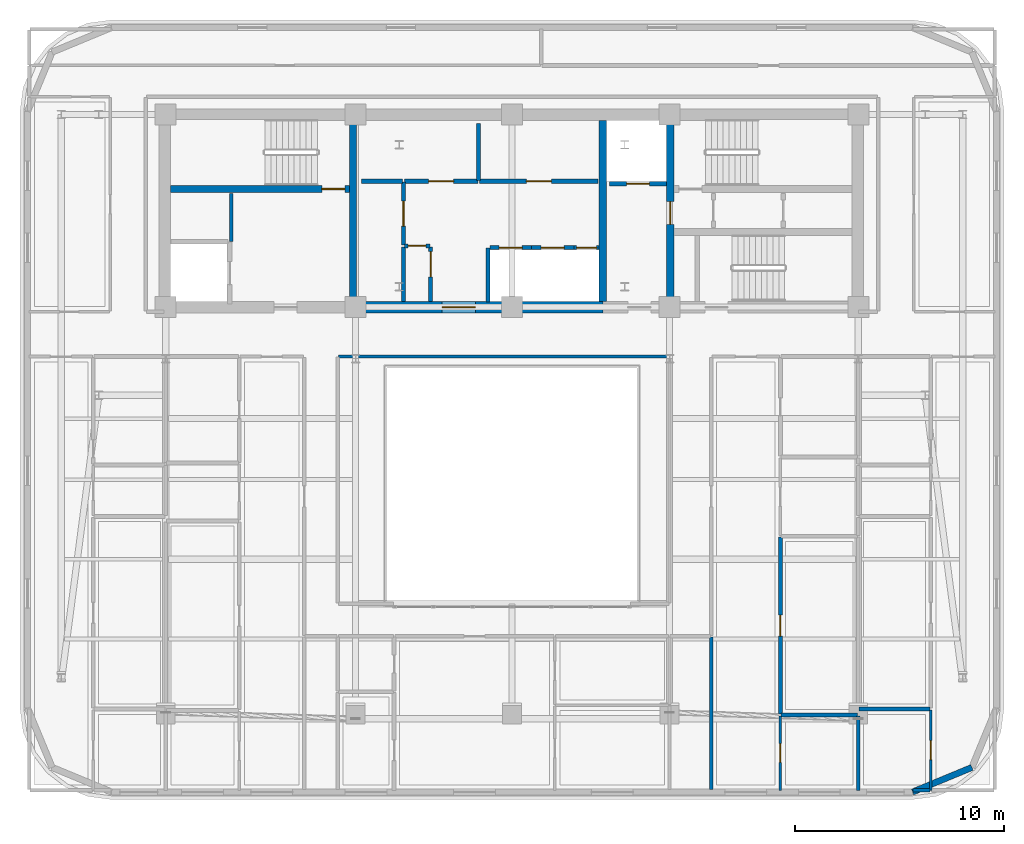
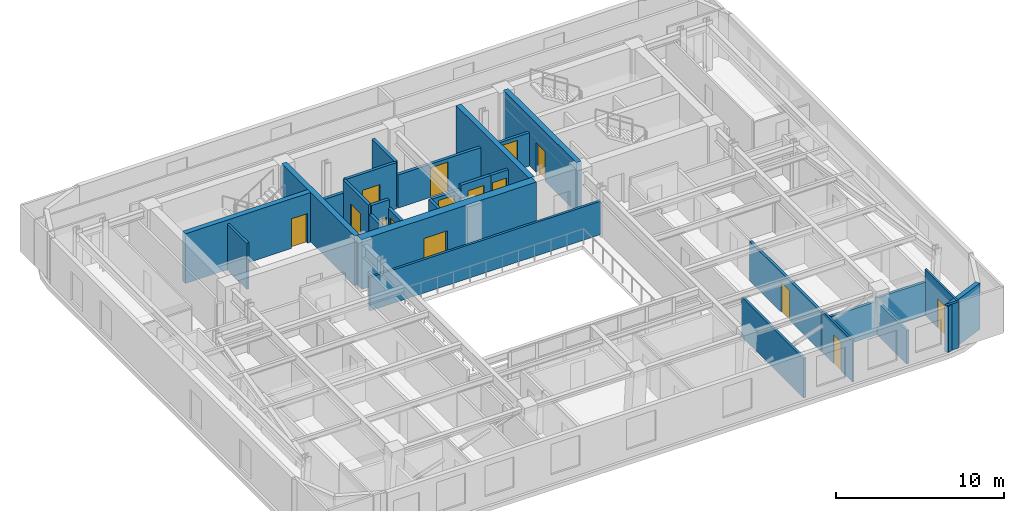
# One storey, part 8 of 15: 29 walls, 15 doors, 15 openings.
"""IFC4 building model written with IfcOpenShell, lengths in metres."""

from ifc_helpers import new_model, si_unit, direction, frame, frame_2d, origin, place, context, subcontext, project, spatial, rectangle, extrude, material, layer, layer_set, type_object, element, fill, save


model = new_model("IFC4")

# Units and contexts
model_context = context("Model", 3, precision=1e-05, world=origin(), true_north=direction((0.0, 1.0)))
body_context = subcontext(model_context, "Body", "Model", "MODEL_VIEW")
ifc_project = project(units=[si_unit("LENGTHUNIT", "METRE"), si_unit("AREAUNIT", "SQUARE_METRE"), si_unit("VOLUMEUNIT", "CUBIC_METRE"), si_unit("PLANEANGLEUNIT", "RADIAN"), si_unit("MASSUNIT", "GRAM", prefix="KILO")], contexts=[model_context])

# Site, building, storey
site_placement = place(None, origin())
site = spatial("IfcSite", under=ifc_project, at=site_placement, CompositionType="ELEMENT")
building_placement = place(site_placement, origin())
building = spatial("IfcBuilding", under=site, at=building_placement, Name="Zarnavel Station Tower", CompositionType="ELEMENT")
storey_placement = place(building_placement, frame((0.0, 0.0, 196.800048828125)))
storey = spatial("IfcBuildingStorey", under=building, at=storey_placement, Name="L53", CompositionType="ELEMENT", Elevation=196.800048828125)

# Walls
ifc_material_1 = material(Name="Concrete C50/60", Category="concrete")
ifc_layer_1 = layer(ifc_material_1, 0.35009765625)
ifc_layer_set_1 = layer_set([ifc_layer_1], Name="CW_350")
wall_type_1 = type_object("IfcWallType", Name="CW_350", PredefinedType="SHEAR", material=ifc_layer_set_1)
for number, where, z_axis, x_axis, name in (
    (1, (21.179931640625, 28.094970703125, 0.0), (0.0, 0.0, 1.0), (0.0, 1.0, 0.0), "L53 Rear Core Shear Wall DIV-W"),
    (2, (33.14990234375, 28.094970703125, 0.0), (0.0, 0.0, 1.0), (0.0, 1.0, 0.0), "L53 Rear Core Shear Wall DIV-E"),
):
    element("IfcWall", number, at=place(storey_placement, frame(where, z_axis=z_axis, x_axis=x_axis)), inside=storey, type_object=wall_type_1, Name=name, PredefinedType="SHEAR", context=body_context, shape_type="SweptSolid", body=[
        extrude(rectangle(XDim=8.679931640625, YDim=0.35009765625, at=frame_2d((4.33984375, 0.0))), origin(), (0.0, 0.0, 1.0), 3.599853515625),
    ])

# Wall, opening, door
wall_1_placement = place(storey_placement, frame((36.3798828125, 28.094970703125, 0.0), z_axis=(0.0, 0.0, 1.0), x_axis=(0.0, 1.0, 0.0)))
wall_1 = element("IfcWall", 3, at=wall_1_placement, inside=storey, type_object=wall_type_1, Name="L53 Rear Core Shear Wall DIV-S2", PredefinedType="SHEAR", context=body_context, shape_type="SweptSolid", body=[
    extrude(rectangle(XDim=8.679931640625, YDim=0.35009765625, at=frame_2d((4.33984375, 0.0))), origin(), (0.0, 0.0, 1.0), 3.599853515625),
])
opening_1_placement = place(wall_1_placement, frame((3.68505859375, 0.0, 0.0)))
opening_1 = element("IfcOpeningElement", 4, at=opening_1_placement, cuts=wall_1, Name="Opening FD01", PredefinedType="OPENING", context=body_context, shape_type="SweptSolid", body=[
    extrude(rectangle(XDim=1.10009765625, YDim=2.14990234375, at=frame_2d((0.550048828125, 1.074951171875))), frame((0.0, 0.18505859375, 0.0), z_axis=(0.0, -1.0, 0.0), x_axis=(1.0, 0.0, 0.0)), (0.0, 0.0, 1.0), 0.3701171875),
])
ifc_material_2 = material(Name="Painted Galvanised Steel and Hardwood Leaf", Category="steel")
door_type_1 = type_object("IfcDoorType", Name="ID_STAIR_1100", OperationType="NOTDEFINED", PredefinedType="DOOR", material=ifc_material_2)
door_1_placement = place(opening_1_placement, origin())
door_1 = element("IfcDoor", 5, at=door_1_placement, inside=storey, type_object=door_type_1, Name="L53 East Stair Vestibule Fire Door", OperationType="SINGLE_SWING_LEFT", OverallHeight=2.14990234375, OverallWidth=1.10009765625, PredefinedType="DOOR", context=body_context, shape_type="SweptSolid", body=[
    extrude(rectangle(XDim=1.10009765625, YDim=2.14990234375, at=frame_2d((0.550048828125, 1.074951171875))), frame((0.0, 0.02490234375, 0.0), z_axis=(0.0, -1.0, 0.0), x_axis=(1.0, 0.0, 0.0)), (0.0, 0.0, 1.0), 0.050048828125),
])
fill(opening_1, door_1)

wall_2_placement = place(storey_placement, frame((21.0048828125, 33.47998046875, 0.0), z_axis=(0.0, 0.0, 1.0), x_axis=(-1.0, 0.0, 0.0)))
wall_2 = element("IfcWall", 6, at=wall_2_placement, inside=storey, type_object=wall_type_1, Name="L53 Rear Core Shear Wall DIV-H1", PredefinedType="SHEAR", context=body_context, shape_type="SweptSolid", body=[
    extrude(rectangle(XDim=8.579833984375, YDim=0.35009765625, at=frame_2d((4.2900390625, 0.0))), origin(), (0.0, 0.0, 1.0), 3.599853515625),
])
opening_2_placement = place(wall_2_placement, frame((0.219970703125, 0.0, 0.0)))
opening_2 = element("IfcOpeningElement", 7, at=opening_2_placement, cuts=wall_2, Name="Opening FD01", PredefinedType="OPENING", context=body_context, shape_type="SweptSolid", body=[
    extrude(rectangle(XDim=1.10009765625, YDim=2.14990234375, at=frame_2d((0.550048828125, 1.074951171875))), frame((0.0, 0.18505859375, 0.0), z_axis=(0.0, -1.0, 0.0), x_axis=(1.0, 0.0, 0.0)), (0.0, 0.0, 1.0), 0.3701171875),
])
door_2_placement = place(opening_2_placement, origin())
door_2 = element("IfcDoor", 8, at=door_2_placement, inside=storey, type_object=door_type_1, Name="L53 Stair ST1 Lobby Fire Door", OperationType="SINGLE_SWING_LEFT", OverallHeight=2.14990234375, OverallWidth=1.10009765625, PredefinedType="DOOR", context=body_context, shape_type="SweptSolid", body=[
    extrude(rectangle(XDim=1.10009765625, YDim=2.14990234375, at=frame_2d((0.550048828125, 1.074951171875))), frame((0.0, 0.02490234375, 0.0), z_axis=(0.0, -1.0, 0.0), x_axis=(1.0, 0.0, 0.0)), (0.0, 0.0, 1.0), 0.050048828125),
])
fill(opening_2, door_2)

ifc_material_3 = material(Name="Concrete C50/60", Category="concrete")
ifc_layer_2 = layer(ifc_material_3, 0.550048828125)
ifc_layer_set_2 = layer_set([ifc_layer_2], Name="CW_550")
wall_type_2 = type_object("IfcWallType", Name="CW_550", PredefinedType="SHEAR", material=ifc_layer_set_2)
wall_3_placement = place(storey_placement, frame((33.14990234375, 27.820068359375, 0.0), z_axis=(0.0, 0.0, 1.0), x_axis=(-1.0, 0.0, 0.0)))
wall_3 = element("IfcWall", 9, at=wall_3_placement, inside=storey, type_object=wall_type_2, Name="L53 Rear Core Shear Wall S-M", PredefinedType="SHEAR", context=body_context, shape_type="SweptSolid", body=[
    extrude(rectangle(XDim=11.969970703125, YDim=0.550048828125, at=frame_2d((5.98486328125, 0.0))), origin(), (0.0, 0.0, 1.0), 3.599853515625),
])
opening_3_placement = place(wall_3_placement, frame((6.10009765625, 0.0, 0.0)))
opening_3 = element("IfcOpeningElement", 10, at=opening_3_placement, cuts=wall_3, Name="Opening ID03", PredefinedType="OPENING", context=body_context, shape_type="SweptSolid", body=[
    extrude(rectangle(XDim=1.60009765625, YDim=2.199951171875, at=frame_2d((0.800048828125, 1.10009765625))), frame((0.0, 0.284912109375, 0.0), z_axis=(0.0, -1.0, 0.0), x_axis=(1.0, 0.0, 0.0)), (0.0, 0.0, 1.0), 0.570068359375),
])
ifc_material_4 = material(Name="Painted Galvanised Steel and Hardwood Leaf", Category="steel")
door_type_2 = type_object("IfcDoorType", Name="ID_PUBLIC_1600", OperationType="DOUBLE_DOOR_SINGLE_SWING", PredefinedType="DOOR", material=ifc_material_4)
door_3_placement = place(opening_3_placement, origin())
door_3 = element("IfcDoor", 11, at=door_3_placement, inside=storey, type_object=door_type_2, Name="L53 Passenger Lift Lobby Double Door", OperationType="SINGLE_SWING_LEFT", OverallHeight=2.199951171875, OverallWidth=1.60009765625, PredefinedType="DOOR", context=body_context, shape_type="SweptSolid", body=[
    extrude(rectangle(XDim=1.60009765625, YDim=2.199951171875, at=frame_2d((0.800048828125, 1.10009765625))), frame((0.0, 0.02490234375, 0.0), z_axis=(0.0, -1.0, 0.0), x_axis=(1.0, 0.0, 0.0)), (0.0, 0.0, 1.0), 0.050048828125),
])
fill(opening_3, door_3)

# Walls
ifc_material_5 = material(Name="Precast concrete C45/55 (Dark Basalt Finish)", Category="masonry")
ifc_layer_3 = layer(ifc_material_5, 0.300048828125)
ifc_layer_set_3 = layer_set([ifc_layer_3], Name="EW_BASALT_300")
wall_type_3 = type_object("IfcWallType", Name="EW_BASALT_300", PredefinedType="SOLIDWALL", material=ifc_layer_set_3)
wall_4_placement = place(storey_placement, frame((50.842529296875, 5.75732421875, 0.0), z_axis=(0.0, 0.0, 1.0), x_axis=(-0.92389884758, -0.382636798336, 0.0)))
element("IfcWall", 12, at=wall_4_placement, inside=storey, type_object=wall_type_3, Name="L53 Exterior Basalt Masonry Frame Wall 01", PredefinedType="SOLIDWALL", context=body_context, shape_type="SweptSolid", body=[
    extrude(rectangle(XDim=3.07666015625, YDim=0.300048828125, at=frame_2d((1.538330078125, 0.0))), origin(), (0.0, 0.0, 1.0), 3.33984375),
])
ifc_material_6 = material(Name="Gypsum Twin-Stud Acoustic Fire Partition", Category="concrete")
ifc_layer_4 = layer(ifc_material_6, 0.159912109375)
ifc_layer_set_4 = layer_set([ifc_layer_4], Name="PT_DEMISE_160")
wall_type_4 = type_object("IfcWallType", Name="PT_DEMISE_160", PredefinedType="PARTITIONING", material=ifc_layer_set_4)
wall_5_placement = place(storey_placement, frame((45.39990234375, 4.659912109375, 0.0), z_axis=(0.0, 0.0, 1.0), x_axis=(0.0, 1.0, 0.0)))
element("IfcWall", 13, at=wall_5_placement, inside=storey, type_object=wall_type_4, Name="L53 Partition UE1B1-UE2B1", PredefinedType="PARTITIONING", context=body_context, shape_type="SweptSolid", body=[
    extrude(rectangle(XDim=3.572998046875, YDim=0.159912109375, at=frame_2d((1.78662109375, 0.0))), origin(), (0.0, 0.0, 1.0), 2.419921875),
])
wall_6_placement = place(storey_placement, frame((15.35009765625, 30.9599609375, 0.0), z_axis=(0.0, 0.0, 1.0), x_axis=(0.0, 1.0, 0.0)))
element("IfcWall", 14, at=wall_6_placement, inside=storey, type_object=wall_type_4, Name="L53 Enclosure Wall FFL1", PredefinedType="PARTITIONING", context=body_context, shape_type="SweptSolid", body=[
    extrude(rectangle(XDim=2.31005859375, YDim=0.159912109375, at=frame_2d((1.155029296875, 0.0))), origin(), (0.0, 0.0, 1.0), 3.33984375),
])
wall_7_placement = place(storey_placement, frame((20.47998046875, 25.449951171875, 0.0), z_axis=(0.0, 0.0, 1.0), x_axis=(1.0, 0.0, 0.0)))
element("IfcWall", 15, at=wall_7_placement, inside=storey, type_object=wall_type_4, Name="L53 Enclosure Wall COR-S", PredefinedType="PARTITIONING", context=body_context, shape_type="SweptSolid", body=[
    extrude(rectangle(XDim=15.840087890625, YDim=0.159912109375, at=frame_2d((7.919921875, 0.0))), origin(), (0.0, 0.0, 1.0), 2.419921875),
])
wall_8_placement = place(storey_placement, frame((38.35009765625, 4.68994140625, 0.0), z_axis=(0.0, 0.0, 1.0), x_axis=(0.0, 1.0, 0.0)))
element("IfcWall", 16, at=wall_8_placement, inside=storey, type_object=wall_type_4, Name="L53 Enclosure Wall UE1LV", PredefinedType="PARTITIONING", context=body_context, shape_type="SweptSolid", body=[
    extrude(rectangle(XDim=7.330078125, YDim=0.159912109375, at=frame_2d((3.6650390625, 0.0))), origin(), (0.0, 0.0, 1.0), 2.869873046875),
])
wall_9_placement = place(storey_placement, frame((48.030029296875, 4.659912109375, 0.0), z_axis=(0.0, 0.0, 1.0), x_axis=(1.0, 0.0, 0.0)))
element("IfcWall", 17, at=wall_9_placement, inside=storey, type_object=wall_type_4, Name="L53 Enclosure Wall UE2B1", PredefinedType="PARTITIONING", context=body_context, shape_type="SweptSolid", body=[
    extrude(rectangle(XDim=0.805908203125, YDim=0.159912109375, at=frame_2d((0.40283203125, 0.0))), origin(), (0.0, 0.0, 1.0), 3.33984375),
])

# Wall, opening, door
ifc_material_7 = material(Name="Gypsum Metal-Stud Interior Partition", Category="concrete")
ifc_layer_5 = layer(ifc_material_7, 0.1201171875)
ifc_layer_set_5 = layer_set([ifc_layer_5], Name="PT_ROOM_120")
wall_type_5 = type_object("IfcWallType", Name="PT_ROOM_120", PredefinedType="PARTITIONING", material=ifc_layer_set_5)
wall_10_placement = place(storey_placement, frame((41.6630859375, 4.659912109375, 0.0), z_axis=(0.0, 0.0, 1.0), x_axis=(0.0, 1.0, 0.0)))
wall_10 = element("IfcWall", 18, at=wall_10_placement, inside=storey, type_object=wall_type_5, Name="L53 Partition UE1LV-UE1B1", PredefinedType="PARTITIONING", context=body_context, shape_type="SweptSolid", body=[
    extrude(rectangle(XDim=3.572998046875, YDim=0.1201171875, at=frame_2d((1.78662109375, 0.0))), origin(), (0.0, 0.0, 1.0), 3.0),
])
opening_4_placement = place(wall_10_placement, frame((1.33642578125, 0.0, 0.0)))
opening_4 = element("IfcOpeningElement", 19, at=opening_4_placement, cuts=wall_10, Name="Opening ID01", PredefinedType="OPENING", context=body_context, shape_type="SweptSolid", body=[
    extrude(rectangle(XDim=0.89990234375, YDim=2.10009765625, at=frame_2d((0.449951171875, 1.050048828125))), frame((0.0, 0.070068359375, 0.0), z_axis=(0.0, -1.0, 0.0), x_axis=(1.0, 0.0, 0.0)), (0.0, 0.0, 1.0), 0.14013671875),
])
ifc_material_8 = material(Name="Painted Galvanised Steel and Hardwood Leaf", Category="steel")
door_type_3 = type_object("IfcDoorType", Name="ID_ROOM_900", OperationType="NOTDEFINED", PredefinedType="DOOR", material=ifc_material_8)
door_4_placement = place(opening_4_placement, origin())
door_4 = element("IfcDoor", 20, at=door_4_placement, inside=storey, type_object=door_type_3, Name="L53 Door UE1LV-UE1B1", OperationType="SINGLE_SWING_LEFT", OverallHeight=2.10009765625, OverallWidth=0.89990234375, PredefinedType="DOOR", context=body_context, shape_type="SweptSolid", body=[
    extrude(rectangle(XDim=0.89990234375, YDim=2.10009765625, at=frame_2d((0.449951171875, 1.050048828125))), frame((0.0, 0.02490234375, 0.0), z_axis=(0.0, -1.0, 0.0), x_axis=(1.0, 0.0, 0.0)), (0.0, 0.0, 1.0), 0.050048828125),
])
fill(opening_4, door_4)

wall_11_placement = place(storey_placement, frame((48.865966796875, 4.659912109375, 0.0), z_axis=(0.0, 0.0, 1.0), x_axis=(0.0, 1.0, 0.0)))
wall_11 = element("IfcWall", 21, at=wall_11_placement, inside=storey, type_object=wall_type_5, Name="L53 Partition UE2LV-UE2B1", PredefinedType="PARTITIONING", context=body_context, shape_type="SweptSolid", body=[
    extrude(rectangle(XDim=3.85498046875, YDim=0.1201171875, at=frame_2d((1.927490234375, 0.0))), origin(), (0.0, 0.0, 1.0), 3.33984375),
])
opening_5_placement = place(wall_11_placement, frame((1.4775390625, 0.0, 0.0)))
opening_5 = element("IfcOpeningElement", 22, at=opening_5_placement, cuts=wall_11, Name="Opening ID01", PredefinedType="OPENING", context=body_context, shape_type="SweptSolid", body=[
    extrude(rectangle(XDim=0.89990234375, YDim=2.10009765625, at=frame_2d((0.449951171875, 1.050048828125))), frame((0.0, 0.070068359375, 0.0), z_axis=(0.0, -1.0, 0.0), x_axis=(1.0, 0.0, 0.0)), (0.0, 0.0, 1.0), 0.14013671875),
])
door_5_placement = place(opening_5_placement, origin())
door_5 = element("IfcDoor", 23, at=door_5_placement, inside=storey, type_object=door_type_3, Name="L53 Door UE2LV-UE2B1", OperationType="SINGLE_SWING_LEFT", OverallHeight=2.10009765625, OverallWidth=0.89990234375, PredefinedType="DOOR", context=body_context, shape_type="SweptSolid", body=[
    extrude(rectangle(XDim=0.89990234375, YDim=2.10009765625, at=frame_2d((0.449951171875, 1.050048828125))), frame((0.0, 0.02490234375, 0.0), z_axis=(0.0, -1.0, 0.0), x_axis=(1.0, 0.0, 0.0)), (0.0, 0.0, 1.0), 0.050048828125),
])
fill(opening_5, door_5)

ifc_material_9 = material(Name="Precast concrete C45/55 (Fire Shaft Blockwork)", Category="masonry")
ifc_layer_6 = layer(ifc_material_9, 0.199951171875)
ifc_layer_set_6 = layer_set([ifc_layer_6], Name="PT_SHAFT_200")
wall_type_6 = type_object("IfcWallType", Name="PT_SHAFT_200", PredefinedType="PARTITIONING", material=ifc_layer_set_6)
wall_12_placement = place(storey_placement, frame((33.47509765625, 33.72998046875, 0.0), z_axis=(0.0, 0.0, 1.0), x_axis=(1.0, 0.0, 0.0)))
wall_12 = element("IfcWall", 24, at=wall_12_placement, inside=storey, type_object=wall_type_6, Name="L53 Lift FFL-02 Shaft Front Wall", PredefinedType="PARTITIONING", context=body_context, shape_type="SweptSolid", body=[
    extrude(rectangle(XDim=2.724853515625, YDim=0.199951171875, at=frame_2d((1.3623046875, 0.0))), origin(), (0.0, 0.0, 1.0), 2.409912109375),
])
opening_6_placement = place(wall_12_placement, frame((0.8125, 0.0, 0.0)))
opening_6 = element("IfcOpeningElement", 25, at=opening_6_placement, cuts=wall_12, Name="Opening LD01", PredefinedType="OPENING", context=body_context, shape_type="SweptSolid", body=[
    extrude(rectangle(XDim=1.10009765625, YDim=2.14990234375, at=frame_2d((0.550048828125, 1.074951171875))), frame((0.0, 0.10986328125, 0.0), z_axis=(0.0, -1.0, 0.0), x_axis=(1.0, 0.0, 0.0)), (0.0, 0.0, 1.0), 0.219970703125),
])
ifc_material_10 = material(Name="Painted Galvanised Steel and Hardwood Leaf", Category="steel")
door_type_4 = type_object("IfcDoorType", Name="LD_FF_1100", OperationType="DOUBLE_DOOR_SLIDING", PredefinedType="DOOR", material=ifc_material_10)
door_6_placement = place(opening_6_placement, origin())
door_6 = element("IfcDoor", 26, at=door_6_placement, inside=storey, type_object=door_type_4, Name="L53 Lift FFL-02 Sliding Landing Door", OperationType="DOUBLE_DOOR_SLIDING", OverallHeight=2.14990234375, OverallWidth=1.10009765625, PredefinedType="DOOR", context=body_context, shape_type="SweptSolid", body=[
    extrude(rectangle(XDim=1.10009765625, YDim=2.14990234375, at=frame_2d((0.550048828125, 1.074951171875))), frame((0.0, 0.02490234375, 0.0), z_axis=(0.0, -1.0, 0.0), x_axis=(1.0, 0.0, 0.0)), (0.0, 0.0, 1.0), 0.050048828125),
])
fill(opening_6, door_6)

wall_13_placement = place(storey_placement, frame((27.75, 30.669921875, 0.0), z_axis=(0.0, 0.0, 1.0), x_axis=(1.0, 0.0, 0.0)))
wall_13 = element("IfcWall", 27, at=wall_13_placement, inside=storey, type_object=wall_type_6, Name="L53 Lift PL-H1 Shaft Front Wall", PredefinedType="PARTITIONING", context=body_context, shape_type="SweptSolid", body=[
    extrude(rectangle(XDim=1.97509765625, YDim=0.199951171875, at=frame_2d((0.987548828125, 0.0))), origin(), (0.0, 0.0, 1.0), 2.409912109375),
])
opening_7_placement = place(wall_13_placement, frame((0.4375, 0.0, 0.0)))
opening_7 = element("IfcOpeningElement", 28, at=opening_7_placement, cuts=wall_13, Name="Opening LD02", PredefinedType="OPENING", context=body_context, shape_type="SweptSolid", body=[
    extrude(rectangle(XDim=1.10009765625, YDim=2.14990234375, at=frame_2d((0.550048828125, 1.074951171875))), frame((0.0, 0.10986328125, 0.0), z_axis=(0.0, -1.0, 0.0), x_axis=(1.0, 0.0, 0.0)), (0.0, 0.0, 1.0), 0.219970703125),
])
ifc_material_11 = material(Name="Painted Galvanised Steel and Hardwood Leaf", Category="steel")
door_type_5 = type_object("IfcDoorType", Name="LD_PAX_1100", OperationType="DOUBLE_DOOR_SLIDING", PredefinedType="DOOR", material=ifc_material_11)
door_7_placement = place(opening_7_placement, origin())
door_7 = element("IfcDoor", 29, at=door_7_placement, inside=storey, type_object=door_type_5, Name="L53 Lift PL-H1 Sliding Landing Door", OperationType="DOUBLE_DOOR_SLIDING", OverallHeight=2.14990234375, OverallWidth=1.10009765625, PredefinedType="DOOR", context=body_context, shape_type="SweptSolid", body=[
    extrude(rectangle(XDim=1.10009765625, YDim=2.14990234375, at=frame_2d((0.550048828125, 1.074951171875))), frame((0.0, 0.02490234375, 0.0), z_axis=(0.0, -1.0, 0.0), x_axis=(1.0, 0.0, 0.0)), (0.0, 0.0, 1.0), 0.050048828125),
])
fill(opening_7, door_7)

# Wall
wall_14_placement = place(storey_placement, frame((27.64990234375, 28.070068359375, 0.0), z_axis=(0.0, 0.0, 1.0), x_axis=(0.0, 1.0, 0.0)))
element("IfcWall", 30, at=wall_14_placement, inside=storey, type_object=wall_type_6, Name="L53 High-Rise Lift Bank West Shaft Wall", PredefinedType="PARTITIONING", context=body_context, shape_type="SweptSolid", body=[
    extrude(rectangle(XDim=2.579833984375, YDim=0.199951171875, at=frame_2d((1.2900390625, 0.0))), origin(), (0.0, 0.0, 1.0), 2.409912109375),
])

# Wall, opening, door
wall_15_placement = place(storey_placement, frame((29.72509765625, 30.669921875, 0.0), z_axis=(0.0, 0.0, 1.0), x_axis=(1.0, 0.0, 0.0)))
wall_15 = element("IfcWall", 31, at=wall_15_placement, inside=storey, type_object=wall_type_6, Name="L53 Lift PL-H2 Shaft Front Wall", PredefinedType="PARTITIONING", context=body_context, shape_type="SweptSolid", body=[
    extrude(rectangle(XDim=2.0498046875, YDim=0.199951171875, at=frame_2d((1.02490234375, 0.0))), origin(), (0.0, 0.0, 1.0), 2.719970703125),
])
opening_8_placement = place(wall_15_placement, frame((0.47509765625, 0.0, 0.0)))
opening_8 = element("IfcOpeningElement", 32, at=opening_8_placement, cuts=wall_15, Name="Opening LD02", PredefinedType="OPENING", context=body_context, shape_type="SweptSolid", body=[
    extrude(rectangle(XDim=1.10009765625, YDim=2.14990234375, at=frame_2d((0.550048828125, 1.074951171875))), frame((0.0, 0.10986328125, 0.0), z_axis=(0.0, -1.0, 0.0), x_axis=(1.0, 0.0, 0.0)), (0.0, 0.0, 1.0), 0.219970703125),
])
door_8_placement = place(opening_8_placement, origin())
door_8 = element("IfcDoor", 33, at=door_8_placement, inside=storey, type_object=door_type_5, Name="L53 Lift PL-H2 Sliding Landing Door", OperationType="DOUBLE_DOOR_SLIDING", OverallHeight=2.14990234375, OverallWidth=1.10009765625, PredefinedType="DOOR", context=body_context, shape_type="SweptSolid", body=[
    extrude(rectangle(XDim=1.10009765625, YDim=2.14990234375, at=frame_2d((0.550048828125, 1.074951171875))), frame((0.0, 0.02490234375, 0.0), z_axis=(0.0, -1.0, 0.0), x_axis=(1.0, 0.0, 0.0)), (0.0, 0.0, 1.0), 0.050048828125),
])
fill(opening_8, door_8)

wall_16_placement = place(storey_placement, frame((31.77490234375, 30.669921875, 0.0), z_axis=(0.0, 0.0, 1.0), x_axis=(1.0, 0.0, 0.0)))
wall_16 = element("IfcWall", 34, at=wall_16_placement, inside=storey, type_object=wall_type_6, Name="L53 Lift PL-H3 Shaft Front Wall", PredefinedType="PARTITIONING", context=body_context, shape_type="SweptSolid", body=[
    extrude(rectangle(XDim=1.2001953125, YDim=0.199951171875, at=frame_2d((0.60009765625, 0.0))), origin(), (0.0, 0.0, 1.0), 2.719970703125),
])
opening_9_placement = place(wall_16_placement, frame((0.125, 0.0, 0.0)))
opening_9 = element("IfcOpeningElement", 35, at=opening_9_placement, cuts=wall_16, Name="Opening LD03", PredefinedType="OPENING", context=body_context, shape_type="SweptSolid", body=[
    extrude(rectangle(XDim=0.949951171875, YDim=2.14990234375, at=frame_2d((0.47509765625, 1.074951171875))), frame((0.0, 0.10986328125, 0.0), z_axis=(0.0, -1.0, 0.0), x_axis=(1.0, 0.0, 0.0)), (0.0, 0.0, 1.0), 0.219970703125),
])
ifc_material_12 = material(Name="Painted Galvanised Steel and Hardwood Leaf", Category="steel")
door_type_6 = type_object("IfcDoorType", Name="LD_PAX_0950", OperationType="DOUBLE_DOOR_SLIDING", PredefinedType="DOOR", material=ifc_material_12)
door_9_placement = place(opening_9_placement, origin())
door_9 = element("IfcDoor", 36, at=door_9_placement, inside=storey, type_object=door_type_6, Name="L53 Lift PL-H3 Sliding Landing Door", OperationType="DOUBLE_DOOR_SLIDING", OverallHeight=2.14990234375, OverallWidth=0.949951171875, PredefinedType="DOOR", context=body_context, shape_type="SweptSolid", body=[
    extrude(rectangle(XDim=0.949951171875, YDim=2.14990234375, at=frame_2d((0.47509765625, 1.074951171875))), frame((0.0, 0.02490234375, 0.0), z_axis=(0.0, -1.0, 0.0), x_axis=(1.0, 0.0, 0.0)), (0.0, 0.0, 1.0), 0.050048828125),
])
fill(opening_9, door_9)

wall_17_placement = place(storey_placement, frame((23.60009765625, 30.7900390625, 0.0), z_axis=(0.0, 0.0, 1.0), x_axis=(0.0, 1.0, 0.0)))
wall_17 = element("IfcWall", 37, at=wall_17_placement, inside=storey, type_object=wall_type_6, Name="L53 Partition LLOB-CS1", PredefinedType="PARTITIONING", context=body_context, shape_type="SweptSolid", body=[
    extrude(rectangle(XDim=3.02001953125, YDim=0.199951171875, at=frame_2d((1.510009765625, 0.0))), origin(), (0.0, 0.0, 1.0), 3.33984375),
])
opening_10_placement = place(wall_17_placement, frame((0.909912109375, 0.0, 0.0)))
opening_10 = element("IfcOpeningElement", 38, at=opening_10_placement, cuts=wall_17, Name="Opening FD03", PredefinedType="OPENING", context=body_context, shape_type="SweptSolid", body=[
    extrude(rectangle(XDim=1.199951171875, YDim=2.14990234375, at=frame_2d((0.60009765625, 1.074951171875))), frame((0.0, 0.10986328125, 0.0), z_axis=(0.0, -1.0, 0.0), x_axis=(1.0, 0.0, 0.0)), (0.0, 0.0, 1.0), 0.219970703125),
])
ifc_material_13 = material(Name="Painted Galvanised Steel and Hardwood Leaf", Category="steel")
door_type_7 = type_object("IfcDoorType", Name="ID_PLANT_1200", OperationType="NOTDEFINED", PredefinedType="DOOR", material=ifc_material_13)
door_10_placement = place(opening_10_placement, origin())
door_10 = element("IfcDoor", 39, at=door_10_placement, inside=storey, type_object=door_type_7, Name="L53 Door LLOB-CS1", OperationType="SINGLE_SWING_LEFT", OverallHeight=2.14990234375, OverallWidth=1.199951171875, PredefinedType="DOOR", context=body_context, shape_type="SweptSolid", body=[
    extrude(rectangle(XDim=1.199951171875, YDim=2.14990234375, at=frame_2d((0.60009765625, 1.074951171875))), frame((0.0, 0.02490234375, 0.0), z_axis=(0.0, -1.0, 0.0), x_axis=(1.0, 0.0, 0.0)), (0.0, 0.0, 1.0), 0.050048828125),
])
fill(opening_10, door_10)

wall_18_placement = place(storey_placement, frame((23.639892578125, 30.75, 0.0), z_axis=(0.0, 0.0, 1.0), x_axis=(1.0, 0.0, 0.0)))
wall_18 = element("IfcWall", 40, at=wall_18_placement, inside=storey, type_object=wall_type_6, Name="L53 Partition LLOB-CS2", PredefinedType="PARTITIONING", context=body_context, shape_type="SweptSolid", body=[
    extrude(rectangle(XDim=1.22021484375, YDim=0.199951171875, at=frame_2d((0.610107421875, 0.0))), origin(), (0.0, 0.0, 1.0), 3.33984375),
])
opening_11_placement = place(wall_18_placement, frame((0.18505859375, 0.0, 0.0)))
opening_11 = element("IfcOpeningElement", 41, at=opening_11_placement, cuts=wall_18, Name="Opening ID02", PredefinedType="OPENING", context=body_context, shape_type="SweptSolid", body=[
    extrude(rectangle(XDim=0.85009765625, YDim=2.10009765625, at=frame_2d((0.425048828125, 1.050048828125))), frame((0.0, 0.10986328125, 0.0), z_axis=(0.0, -1.0, 0.0), x_axis=(1.0, 0.0, 0.0)), (0.0, 0.0, 1.0), 0.219970703125),
])
ifc_material_14 = material(Name="Painted Galvanised Steel and Hardwood Leaf", Category="steel")
door_type_8 = type_object("IfcDoorType", Name="ID_BATH_850", OperationType="NOTDEFINED", PredefinedType="DOOR", material=ifc_material_14)
door_11_placement = place(opening_11_placement, origin())
door_11 = element("IfcDoor", 42, at=door_11_placement, inside=storey, type_object=door_type_8, Name="L53 Door LLOB-CS2", OperationType="SINGLE_SWING_RIGHT", OverallHeight=2.10009765625, OverallWidth=0.85009765625, PredefinedType="DOOR", context=body_context, shape_type="SweptSolid", body=[
    extrude(rectangle(XDim=0.85009765625, YDim=2.10009765625, at=frame_2d((0.425048828125, 1.050048828125))), frame((0.0, 0.02490234375, 0.0), z_axis=(0.0, -1.0, 0.0), x_axis=(1.0, 0.0, 0.0)), (0.0, 0.0, 1.0), 0.050048828125),
])
fill(opening_11, door_11)

wall_19_placement = place(storey_placement, frame((23.639892578125, 33.85009765625, 0.0), z_axis=(0.0, 0.0, 1.0), x_axis=(1.0, 0.0, 0.0)))
wall_19 = element("IfcWall", 43, at=wall_19_placement, inside=storey, type_object=wall_type_6, Name="L53 Partition LLOB-FB2A", PredefinedType="PARTITIONING", context=body_context, shape_type="SweptSolid", body=[
    extrude(rectangle(XDim=3.52001953125, YDim=0.199951171875, at=frame_2d((1.760009765625, 0.0))), origin(), (0.0, 0.0, 1.0), 3.33984375),
])
opening_12_placement = place(wall_19_placement, frame((1.159912109375, 0.0, 0.0)))
opening_12 = element("IfcOpeningElement", 44, at=opening_12_placement, cuts=wall_19, Name="Opening FD03", PredefinedType="OPENING", context=body_context, shape_type="SweptSolid", body=[
    extrude(rectangle(XDim=1.199951171875, YDim=2.14990234375, at=frame_2d((0.60009765625, 1.074951171875))), frame((0.0, 0.10986328125, 0.0), z_axis=(0.0, -1.0, 0.0), x_axis=(1.0, 0.0, 0.0)), (0.0, 0.0, 1.0), 0.219970703125),
])
door_12_placement = place(opening_12_placement, origin())
door_12 = element("IfcDoor", 45, at=door_12_placement, inside=storey, type_object=door_type_7, Name="L53 Door LLOB-FB2A", OperationType="SINGLE_SWING_LEFT", OverallHeight=2.14990234375, OverallWidth=1.199951171875, PredefinedType="DOOR", context=body_context, shape_type="SweptSolid", body=[
    extrude(rectangle(XDim=1.199951171875, YDim=2.14990234375, at=frame_2d((0.60009765625, 1.074951171875))), frame((0.0, 0.02490234375, 0.0), z_axis=(0.0, -1.0, 0.0), x_axis=(1.0, 0.0, 0.0)), (0.0, 0.0, 1.0), 0.050048828125),
])
fill(opening_12, door_12)

wall_20_placement = place(storey_placement, frame((27.239990234375, 33.85009765625, 0.0), z_axis=(0.0, 0.0, 1.0), x_axis=(1.0, 0.0, 0.0)))
wall_20 = element("IfcWall", 46, at=wall_20_placement, inside=storey, type_object=wall_type_6, Name="L53 Partition LLOB-FB2B", PredefinedType="PARTITIONING", context=body_context, shape_type="SweptSolid", body=[
    extrude(rectangle(XDim=5.68994140625, YDim=0.199951171875, at=frame_2d((2.844970703125, 0.0))), origin(), (0.0, 0.0, 1.0), 2.409912109375),
])
opening_13_placement = place(wall_20_placement, frame((2.2451171875, 0.0, 0.0)))
opening_13 = element("IfcOpeningElement", 47, at=opening_13_placement, cuts=wall_20, Name="Opening FD03", PredefinedType="OPENING", context=body_context, shape_type="SweptSolid", body=[
    extrude(rectangle(XDim=1.199951171875, YDim=2.14990234375, at=frame_2d((0.60009765625, 1.074951171875))), frame((0.0, 0.10986328125, 0.0), z_axis=(0.0, -1.0, 0.0), x_axis=(1.0, 0.0, 0.0)), (0.0, 0.0, 1.0), 0.219970703125),
])
door_13_placement = place(opening_13_placement, origin())
door_13 = element("IfcDoor", 48, at=door_13_placement, inside=storey, type_object=door_type_7, Name="L53 Door LLOB-FB2B", OperationType="SINGLE_SWING_RIGHT", OverallHeight=2.14990234375, OverallWidth=1.199951171875, PredefinedType="DOOR", context=body_context, shape_type="SweptSolid", body=[
    extrude(rectangle(XDim=1.199951171875, YDim=2.14990234375, at=frame_2d((0.60009765625, 1.074951171875))), frame((0.0, 0.02490234375, 0.0), z_axis=(0.0, -1.0, 0.0), x_axis=(1.0, 0.0, 0.0)), (0.0, 0.0, 1.0), 0.050048828125),
])
fill(opening_13, door_13)

wall_21_placement = place(storey_placement, frame((24.89990234375, 30.7099609375, 0.0), z_axis=(0.0, 0.0, 1.0), x_axis=(0.0, -1.0, 0.0)))
wall_21 = element("IfcWall", 49, at=wall_21_placement, inside=storey, type_object=wall_type_6, Name="L53 Partition LLOBS-CS2", PredefinedType="PARTITIONING", context=body_context, shape_type="SweptSolid", body=[
    extrude(rectangle(XDim=2.619873046875, YDim=0.199951171875, at=frame_2d((1.31005859375, 0.0))), origin(), (0.0, 0.0, 1.0), 2.719970703125),
])
opening_14_placement = place(wall_21_placement, frame((0.235107421875, 0.0, 0.0)))
opening_14 = element("IfcOpeningElement", 50, at=opening_14_placement, cuts=wall_21, Name="Opening FD03", PredefinedType="OPENING", context=body_context, shape_type="SweptSolid", body=[
    extrude(rectangle(XDim=1.199951171875, YDim=2.14990234375, at=frame_2d((0.60009765625, 1.074951171875))), frame((0.0, 0.10986328125, 0.0), z_axis=(0.0, -1.0, 0.0), x_axis=(1.0, 0.0, 0.0)), (0.0, 0.0, 1.0), 0.219970703125),
])
door_14_placement = place(opening_14_placement, origin())
door_14 = element("IfcDoor", 51, at=door_14_placement, inside=storey, type_object=door_type_7, Name="L53 Door LLOBS-CS2", OperationType="SINGLE_SWING_LEFT", OverallHeight=2.14990234375, OverallWidth=1.199951171875, PredefinedType="DOOR", context=body_context, shape_type="SweptSolid", body=[
    extrude(rectangle(XDim=1.199951171875, YDim=2.14990234375, at=frame_2d((0.60009765625, 1.074951171875))), frame((0.0, 0.02490234375, 0.0), z_axis=(0.0, -1.0, 0.0), x_axis=(1.0, 0.0, 0.0)), (0.0, 0.0, 1.0), 0.050048828125),
])
fill(opening_14, door_14)

# Walls
wall_22_placement = place(storey_placement, frame((23.60009765625, 28.090087890625, 0.0), z_axis=(0.0, 0.0, 1.0), x_axis=(0.0, 1.0, 0.0)))
element("IfcWall", 52, at=wall_22_placement, inside=storey, type_object=wall_type_6, Name="L53 Partition CS1-CS2", PredefinedType="PARTITIONING", context=body_context, shape_type="SweptSolid", body=[
    extrude(rectangle(XDim=2.619873046875, YDim=0.199951171875, at=frame_2d((1.31005859375, 0.0))), origin(), (0.0, 0.0, 1.0), 2.719970703125),
])
wall_23_placement = place(storey_placement, frame((21.590087890625, 33.85009765625, 0.0), z_axis=(0.0, 0.0, 1.0), x_axis=(1.0, 0.0, 0.0)))
element("IfcWall", 53, at=wall_23_placement, inside=storey, type_object=wall_type_6, Name="L53 Partition CS1-FB2A", PredefinedType="PARTITIONING", context=body_context, shape_type="SweptSolid", body=[
    extrude(rectangle(XDim=1.969970703125, YDim=0.199951171875, at=frame_2d((0.98486328125, 0.0))), origin(), (0.0, 0.0, 1.0), 2.409912109375),
])
wall_24_placement = place(storey_placement, frame((27.199951171875, 33.889892578125, 0.0), z_axis=(0.0, 0.0, 1.0), x_axis=(0.0, 1.0, 0.0)))
element("IfcWall", 54, at=wall_24_placement, inside=storey, type_object=wall_type_6, Name="L53 Partition FB2A-FB2B", PredefinedType="PARTITIONING", context=body_context, shape_type="SweptSolid", body=[
    extrude(rectangle(XDim=2.72021484375, YDim=0.199951171875, at=frame_2d((1.360107421875, 0.0))), origin(), (0.0, 0.0, 1.0), 3.33984375),
])

# Wall, opening, door
ifc_material_15 = material(Name="Moisture-Resistant Plumbing Chase Wall", Category="concrete")
ifc_layer_7 = layer(ifc_material_15, 0.179931640625)
ifc_layer_set_7 = layer_set([ifc_layer_7], Name="PW_PLUMB_180")
wall_type_7 = type_object("IfcWallType", Name="PW_PLUMB_180", PredefinedType="PLUMBINGWALL", material=ifc_layer_set_7)
wall_25_placement = place(storey_placement, frame((41.6630859375, 8.31298828125, 0.0), z_axis=(0.0, 0.0, 1.0), x_axis=(0.0, 1.0, 0.0)))
wall_25 = element("IfcWall", 55, at=wall_25_placement, inside=storey, type_object=wall_type_7, Name="L53 Partition UE1LV-UE1KT", PredefinedType="PLUMBINGWALL", context=body_context, shape_type="SweptSolid", body=[
    extrude(rectangle(XDim=8.48291015625, YDim=0.179931640625, at=frame_2d((4.241455078125, 0.0))), origin(), (0.0, 0.0, 1.0), 2.869873046875),
])
opening_15_placement = place(wall_25_placement, frame((3.741455078125, 0.0, 0.0)))
opening_15 = element("IfcOpeningElement", 56, at=opening_15_placement, cuts=wall_25, Name="Opening FD02", PredefinedType="OPENING", context=body_context, shape_type="SweptSolid", body=[
    extrude(rectangle(XDim=1.0, YDim=2.14990234375, at=frame_2d((0.5, 1.074951171875))), frame((0.0, 0.099853515625, 0.0), z_axis=(0.0, -1.0, 0.0), x_axis=(1.0, 0.0, 0.0)), (0.0, 0.0, 1.0), 0.199951171875),
])
ifc_material_16 = material(Name="Painted Galvanised Steel and Hardwood Leaf", Category="steel")
door_type_9 = type_object("IfcDoorType", Name="ID_ENTRY_1000", OperationType="NOTDEFINED", PredefinedType="DOOR", material=ifc_material_16)
door_15_placement = place(opening_15_placement, origin())
door_15 = element("IfcDoor", 57, at=door_15_placement, inside=storey, type_object=door_type_9, Name="L53 Door UE1LV-UE1KT", OperationType="SINGLE_SWING_RIGHT", OverallHeight=2.14990234375, OverallWidth=1.0, PredefinedType="DOOR", context=body_context, shape_type="SweptSolid", body=[
    extrude(rectangle(XDim=1.0, YDim=2.14990234375, at=frame_2d((0.5, 1.074951171875))), frame((0.0, 0.02490234375, 0.0), z_axis=(0.0, -1.0, 0.0), x_axis=(1.0, 0.0, 0.0)), (0.0, 0.0, 1.0), 0.050048828125),
])
fill(opening_15, door_15)

# Walls
wall_26_placement = place(storey_placement, frame((41.702880859375, 8.27294921875, 0.0), z_axis=(0.0, 0.0, 1.0), x_axis=(1.0, 0.0, 0.0)))
element("IfcWall", 58, at=wall_26_placement, inside=storey, type_object=wall_type_7, Name="L53 Partition UE1B1-UE1KT", PredefinedType="PLUMBINGWALL", context=body_context, shape_type="SweptSolid", body=[
    extrude(rectangle(XDim=3.6572265625, YDim=0.179931640625, at=frame_2d((1.82861328125, 0.0))), origin(), (0.0, 0.0, 1.0), 2.419921875),
])
wall_27_placement = place(storey_placement, frame((45.43994140625, 8.554931640625, 0.0), z_axis=(0.0, 0.0, 1.0), x_axis=(1.0, 0.0, 0.0)))
element("IfcWall", 59, at=wall_27_placement, inside=storey, type_object=wall_type_7, Name="L53 Partition UE2B1-UE2KT", PredefinedType="PLUMBINGWALL", context=body_context, shape_type="SweptSolid", body=[
    extrude(rectangle(XDim=3.385986328125, YDim=0.179931640625, at=frame_2d((1.69287109375, 0.0))), origin(), (0.0, 0.0, 1.0), 2.419921875),
])

save(model, "model.ifc")
